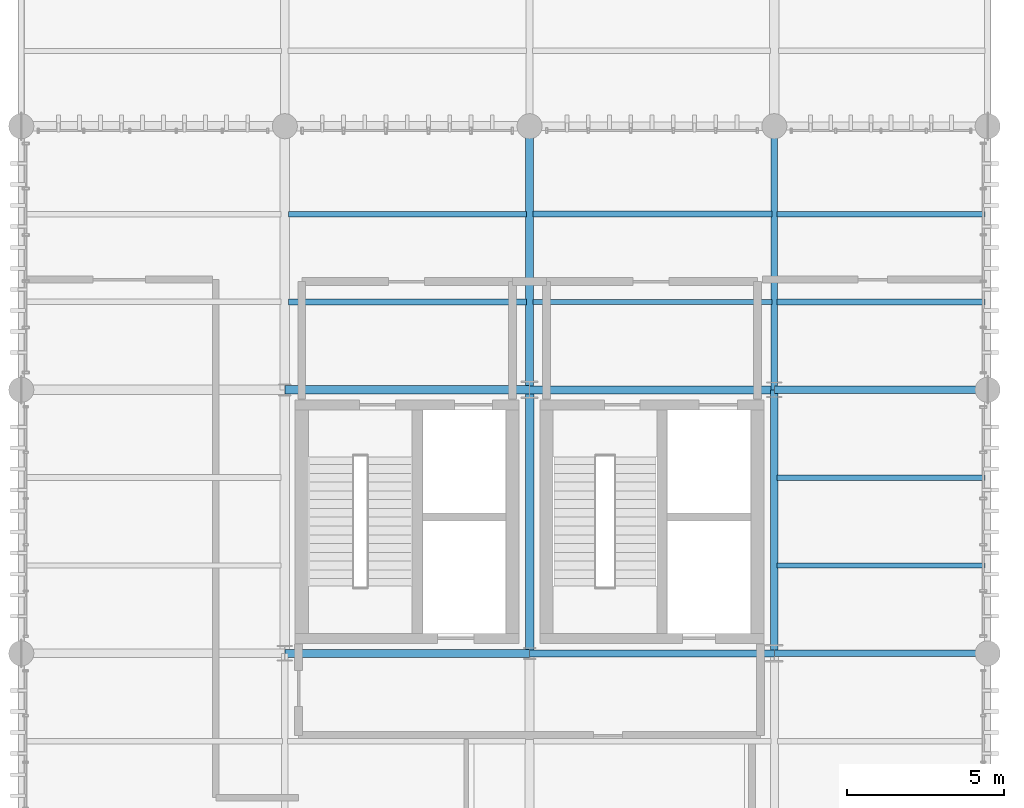
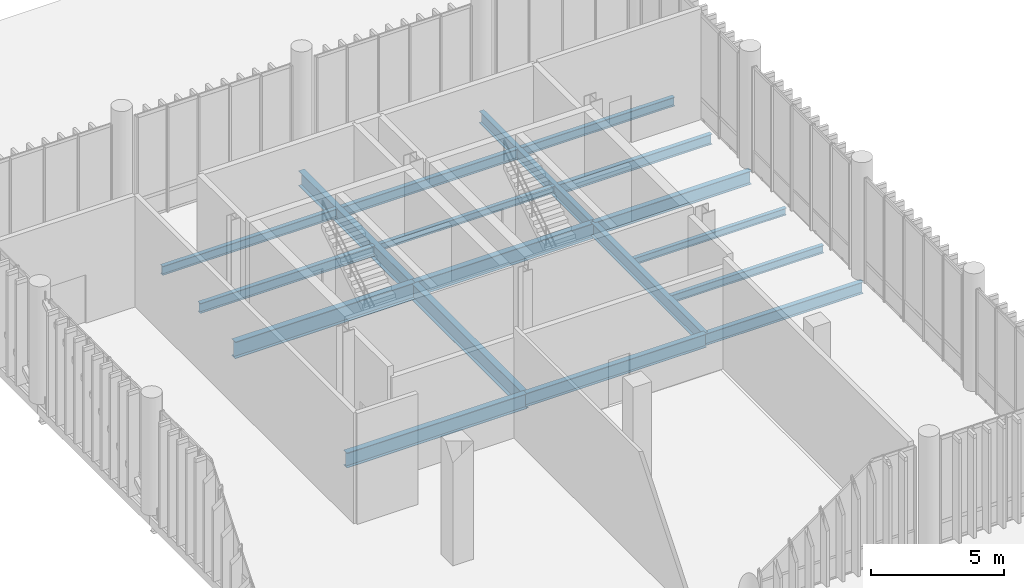
# One storey, part 82 of 128: 18 beams.
"""IFC4 building model written with IfcOpenShell, lengths in metres."""

from ifc_helpers import new_model, si_unit, direction, frame, origin_with_axes, origin_2d_with_axis, place, context, subcontext, project, spatial, i_section, extrude, material, material_profile, profile_set, type_object, element, save


model = new_model("IFC4")

# Units and contexts
model_context = context("Model", 3, precision=1e-05, world=origin_with_axes(), true_north=direction((0.0, 1.0)))
body_context = subcontext(model_context, "Body", "Model", "MODEL_VIEW")
ifc_project = project(units=[si_unit("LENGTHUNIT", "METRE"), si_unit("AREAUNIT", "SQUARE_METRE"), si_unit("VOLUMEUNIT", "CUBIC_METRE"), si_unit("PLANEANGLEUNIT", "RADIAN"), si_unit("MASSUNIT", "GRAM", prefix="KILO"), si_unit("THERMODYNAMICTEMPERATUREUNIT", "KELVIN")], contexts=[model_context])

# Site, building, storey
site_placement = place(None, origin_with_axes())
site = spatial("IfcSite", under=ifc_project, at=site_placement, CompositionType="ELEMENT")
building_placement = place(site_placement, origin_with_axes())
building = spatial("IfcBuilding", under=site, at=building_placement, Name="Montbau Bow Law Courts", CompositionType="ELEMENT")
storey_placement = place(building_placement, frame((0.0, 0.0, 5.4), z_axis=(0.0, 0.0, 1.0), x_axis=(1.0, 0.0, 0.0)))
storey = spatial("IfcBuildingStorey", under=building, at=storey_placement, Name="L01", CompositionType="ELEMENT", Elevation=5.4)

# Beams
ifc_material = material(Name="Steel CSA G40.21 Grade 350W (350 MPa)", Category="steel")
ifc_material_profile_1 = material_profile(ifc_material, i_section(OverallWidth=0.267, OverallDepth=0.766, WebThickness=0.0149, FlangeThickness=0.0236, at=origin_2d_with_axis()), Name="W760X185", Category="Main", Priority=0)
ifc_profile_set_1 = profile_set([ifc_material_profile_1], Name="Steel CSA G40.21 Grade 350W (350 MPa)")
beam_type_1 = type_object("IfcBeamType", Name="B-FLR-03", PredefinedType="BEAM", material=ifc_profile_set_1)
beam_1_placement = place(None, frame((147.0, 94.8, 4.737), z_axis=(1.0, 0.0, 0.0), x_axis=(0.0, 1.0, 0.0)))
element("IfcBeam", 1, at=beam_1_placement, inside=storey, type_object=beam_type_1, Name="BM-L01-S1115:bm2_1118", PredefinedType="BEAM", context=body_context, shape_type="SweptSolid", body=[
    extrude(i_section(OverallWidth=0.267, OverallDepth=0.766, WebThickness=0.0149, FlangeThickness=0.0236, at=origin_2d_with_axis()), origin_with_axes(), (0.0, 0.0, 1.0), 7.8),
])
beam_2_placement = place(None, frame((154.8, 86.4, 4.737), z_axis=(0.0, 1.0, 0.0), x_axis=(-1.0, 0.0, 0.0)))
element("IfcBeam", 2, at=beam_2_placement, inside=storey, type_object=beam_type_1, Name="BM-L01-S1147:bm2_1150", PredefinedType="BEAM", context=body_context, shape_type="SweptSolid", body=[
    extrude(i_section(OverallWidth=0.267, OverallDepth=0.766, WebThickness=0.0149, FlangeThickness=0.0236, at=origin_2d_with_axis()), origin_with_axes(), (0.0, 0.0, 1.0), 8.4),
])
ifc_material_profile_2 = material_profile(ifc_material, i_section(OverallWidth=0.254, OverallDepth=0.688, WebThickness=0.0131, FlangeThickness=0.0211, at=origin_2d_with_axis()), Name="W690X152", Category="Main", Priority=0)
ifc_profile_set_2 = profile_set([ifc_material_profile_2], Name="Steel CSA G40.21 Grade 350W (350 MPa)")
beam_type_2 = type_object("IfcBeamType", Name="B-FLR-04", PredefinedType="BEAM", material=ifc_profile_set_2)
for number, where, z_axis, x_axis, name in (
    (3, (147.0, 86.4, 4.776), (1.0, 0.0, 0.0), (0.0, 1.0, 0.0), "BM-L01-S1111:bm2_1114"),
    (4, (154.8, 94.8, 4.776), (1.0, 0.0, 0.0), (0.0, 1.0, 0.0), "BM-L01-S1116:bm2_1119"),
):
    element("IfcBeam", number, at=place(None, frame(where, z_axis=z_axis, x_axis=x_axis)), inside=storey, type_object=beam_type_2, Name=name, PredefinedType="BEAM", context=body_context, shape_type="SweptSolid", body=[
        extrude(i_section(OverallWidth=0.254, OverallDepth=0.688, WebThickness=0.0131, FlangeThickness=0.0211, at=origin_2d_with_axis()), origin_with_axes(), (0.0, 0.0, 1.0), 7.8),
    ])
beam_3_placement = place(None, frame((154.8, 94.8, 4.776), z_axis=(0.0, 1.0, 0.0), x_axis=(-1.0, 0.0, 0.0)))
element("IfcBeam", 5, at=beam_3_placement, inside=storey, type_object=beam_type_2, Name="BM-L01-S1148:bm2_1151", PredefinedType="BEAM", context=body_context, shape_type="SweptSolid", body=[
    extrude(i_section(OverallWidth=0.254, OverallDepth=0.688, WebThickness=0.0131, FlangeThickness=0.0211, at=origin_2d_with_axis()), origin_with_axes(), (0.0, 0.0, 1.0), 8.4),
])
ifc_material_profile_3 = material_profile(ifc_material, i_section(OverallWidth=0.229, OverallDepth=0.612, WebThickness=0.0119, FlangeThickness=0.0196, at=origin_2d_with_axis()), Name="W610X125", Category="Main", Priority=0)
ifc_profile_set_3 = profile_set([ifc_material_profile_3], Name="Steel CSA G40.21 Grade 350W (350 MPa)")
beam_type_3 = type_object("IfcBeamType", Name="B-FLR-05", PredefinedType="BEAM", material=ifc_profile_set_3)
beam_4_placement = place(None, frame((154.8, 86.4, 4.814), z_axis=(1.0, 0.0, 0.0), x_axis=(0.0, 1.0, 0.0)))
element("IfcBeam", 6, at=beam_4_placement, inside=storey, type_object=beam_type_3, Name="BM-L01-S1112:bm2_1115", PredefinedType="BEAM", context=body_context, shape_type="SweptSolid", body=[
    extrude(i_section(OverallWidth=0.229, OverallDepth=0.612, WebThickness=0.0119, FlangeThickness=0.0196, at=origin_2d_with_axis()), origin_with_axes(), (0.0, 0.0, 1.0), 7.8),
])
beam_5_placement = place(None, frame((162.6, 94.8, 4.814), z_axis=(1.0, 0.0, 0.0), x_axis=(0.0, 1.0, 0.0)))
element("IfcBeam", 7, at=beam_5_placement, inside=storey, type_object=beam_type_3, Name="BM-L01-S1117:bm2_1120", PredefinedType="BEAM", context=body_context, shape_type="SweptSolid", body=[
    extrude(i_section(OverallWidth=0.229, OverallDepth=0.612, WebThickness=0.0119, FlangeThickness=0.0196, at=origin_2d_with_axis()), origin_with_axes(), (0.0, 0.0, 1.0), 6.8),
])
beam_6_placement = place(None, frame((162.6, 86.4, 4.814), z_axis=(0.0, 1.0, 0.0), x_axis=(-1.0, 0.0, 0.0)))
element("IfcBeam", 8, at=beam_6_placement, inside=storey, type_object=beam_type_3, Name="BM-L01-S1154:bm2_1157", PredefinedType="BEAM", context=body_context, shape_type="SweptSolid", body=[
    extrude(i_section(OverallWidth=0.229, OverallDepth=0.612, WebThickness=0.0119, FlangeThickness=0.0196, at=origin_2d_with_axis()), origin_with_axes(), (0.0, 0.0, 1.0), 8.4),
])
ifc_material_profile_4 = material_profile(ifc_material, i_section(OverallWidth=0.21, OverallDepth=0.537, WebThickness=0.0109, FlangeThickness=0.0174, at=origin_2d_with_axis()), Name="W530X101", Category="Main", Priority=0)
ifc_profile_set_4 = profile_set([ifc_material_profile_4], Name="Steel CSA G40.21 Grade 350W (350 MPa)")
beam_type_4 = type_object("IfcBeamType", Name="B-FLR-06", PredefinedType="BEAM", material=ifc_profile_set_4)
beam_7_placement = place(None, frame((162.6, 86.4, 4.851), z_axis=(1.0, 0.0, 0.0), x_axis=(0.0, 1.0, 0.0)))
element("IfcBeam", 9, at=beam_7_placement, inside=storey, type_object=beam_type_4, Name="BM-L01-S1113:bm2_1116", PredefinedType="BEAM", context=body_context, shape_type="SweptSolid", body=[
    extrude(i_section(OverallWidth=0.21, OverallDepth=0.537, WebThickness=0.0109, FlangeThickness=0.0174, at=origin_2d_with_axis()), origin_with_axes(), (0.0, 0.0, 1.0), 6.8),
])
beam_8_placement = place(None, frame((162.6, 94.8, 4.851), z_axis=(0.0, 1.0, 0.0), x_axis=(-1.0, 0.0, 0.0)))
element("IfcBeam", 10, at=beam_8_placement, inside=storey, type_object=beam_type_4, Name="BM-L01-S1155:bm2_1158", PredefinedType="BEAM", context=body_context, shape_type="SweptSolid", body=[
    extrude(i_section(OverallWidth=0.21, OverallDepth=0.537, WebThickness=0.0109, FlangeThickness=0.0174, at=origin_2d_with_axis()), origin_with_axes(), (0.0, 0.0, 1.0), 8.4),
])
ifc_material_profile_5 = material_profile(ifc_material, i_section(OverallWidth=0.191, OverallDepth=0.46, WebThickness=0.0099, FlangeThickness=0.016, at=origin_2d_with_axis()), Name="W460X82", Category="Main", Priority=0)
ifc_profile_set_5 = profile_set([ifc_material_profile_5], Name="Steel CSA G40.21 Grade 350W (350 MPa)")
beam_type_5 = type_object("IfcBeamType", Name="B-JST-01", PredefinedType="JOIST", material=ifc_profile_set_5)
beam_9_placement = place(None, frame((147.123, 97.6, 4.89), z_axis=(1.0, 0.0, 0.0), x_axis=(0.0, 1.0, 0.0)))
element("IfcBeam", 11, at=beam_9_placement, inside=storey, type_object=beam_type_5, Name="JST-L01-S0580:jst2_0580", PredefinedType="JOIST", context=body_context, shape_type="SweptSolid", body=[
    extrude(i_section(OverallWidth=0.191, OverallDepth=0.46, WebThickness=0.0099, FlangeThickness=0.016, at=origin_2d_with_axis()), origin_with_axes(), (0.0, 0.0, 1.0), 7.574),
])
beam_10_placement = place(None, frame((154.903, 100.4, 4.89), z_axis=(1.0, 0.0, 0.0), x_axis=(0.0, 1.0, 0.0)))
element("IfcBeam", 12, at=beam_10_placement, inside=storey, type_object=beam_type_5, Name="JST-L01-S0592:jst2_0592", PredefinedType="JOIST", context=body_context, shape_type="SweptSolid", body=[
    extrude(i_section(OverallWidth=0.191, OverallDepth=0.46, WebThickness=0.0099, FlangeThickness=0.016, at=origin_2d_with_axis()), origin_with_axes(), (0.0, 0.0, 1.0), 7.616),
])
beam_11_placement = place(None, frame((162.681, 97.6, 4.89), z_axis=(1.0, 0.0, 0.0), x_axis=(0.0, 1.0, 0.0)))
element("IfcBeam", 13, at=beam_11_placement, inside=storey, type_object=beam_type_5, Name="JST-L01-S0604:jst2_0604", PredefinedType="JOIST", context=body_context, shape_type="SweptSolid", body=[
    extrude(i_section(OverallWidth=0.191, OverallDepth=0.46, WebThickness=0.0099, FlangeThickness=0.016, at=origin_2d_with_axis()), origin_with_axes(), (0.0, 0.0, 1.0), 6.639),
])
ifc_material_profile_6 = material_profile(ifc_material, i_section(OverallWidth=0.179, OverallDepth=0.41, WebThickness=0.0088, FlangeThickness=0.0144, at=origin_2d_with_axis()), Name="W410X67", Category="Main", Priority=0)
ifc_profile_set_6 = profile_set([ifc_material_profile_6], Name="Steel CSA G40.21 Grade 350W (350 MPa)")
beam_type_6 = type_object("IfcBeamType", Name="B-JST-02", PredefinedType="JOIST", material=ifc_profile_set_6)
beam_12_placement = place(None, frame((147.123, 100.4, 4.915), z_axis=(1.0, 0.0, 0.0), x_axis=(0.0, 1.0, 0.0)))
element("IfcBeam", 14, at=beam_12_placement, inside=storey, type_object=beam_type_6, Name="JST-L01-S0581:jst2_0581", PredefinedType="JOIST", context=body_context, shape_type="SweptSolid", body=[
    extrude(i_section(OverallWidth=0.179, OverallDepth=0.41, WebThickness=0.0088, FlangeThickness=0.0144, at=origin_2d_with_axis()), origin_with_axes(), (0.0, 0.0, 1.0), 7.574),
])
beam_13_placement = place(None, frame((162.681, 100.4, 4.915), z_axis=(1.0, 0.0, 0.0), x_axis=(0.0, 1.0, 0.0)))
element("IfcBeam", 15, at=beam_13_placement, inside=storey, type_object=beam_type_6, Name="JST-L01-S0605:jst2_0605", PredefinedType="JOIST", context=body_context, shape_type="SweptSolid", body=[
    extrude(i_section(OverallWidth=0.179, OverallDepth=0.41, WebThickness=0.0088, FlangeThickness=0.0144, at=origin_2d_with_axis()), origin_with_axes(), (0.0, 0.0, 1.0), 6.639),
])
ifc_material_profile_7 = material_profile(ifc_material, i_section(OverallWidth=0.172, OverallDepth=0.358, WebThickness=0.0079, FlangeThickness=0.0131, at=origin_2d_with_axis()), Name="W360X57", Category="Main", Priority=0)
ifc_profile_set_7 = profile_set([ifc_material_profile_7], Name="Steel CSA G40.21 Grade 350W (350 MPa)")
beam_type_7 = type_object("IfcBeamType", Name="B-JST-03", PredefinedType="JOIST", material=ifc_profile_set_7)
beam_14_placement = place(None, frame((162.69, 89.2, 4.941), z_axis=(1.0, 0.0, 0.0), x_axis=(0.0, 1.0, 0.0)))
element("IfcBeam", 16, at=beam_14_placement, inside=storey, type_object=beam_type_7, Name="JST-L01-S0602:jst2_0602", PredefinedType="JOIST", context=body_context, shape_type="SweptSolid", body=[
    extrude(i_section(OverallWidth=0.172, OverallDepth=0.358, WebThickness=0.0079, FlangeThickness=0.0131, at=origin_2d_with_axis()), origin_with_axes(), (0.0, 0.0, 1.0), 6.63),
])
ifc_material_profile_8 = material_profile(ifc_material, i_section(OverallWidth=0.166, OverallDepth=0.313, WebThickness=0.0066, FlangeThickness=0.0112, at=origin_2d_with_axis()), Name="W310X45", Category="Main", Priority=0)
ifc_profile_set_8 = profile_set([ifc_material_profile_8], Name="Steel CSA G40.21 Grade 350W (350 MPa)")
beam_type_8 = type_object("IfcBeamType", Name="B-JST-04", PredefinedType="JOIST", material=ifc_profile_set_8)
beam_15_placement = place(None, frame((154.903, 97.6, 4.963), z_axis=(1.0, 0.0, 0.0), x_axis=(0.0, 1.0, 0.0)))
element("IfcBeam", 17, at=beam_15_placement, inside=storey, type_object=beam_type_8, Name="JST-L01-S0591:jst2_0591", PredefinedType="JOIST", context=body_context, shape_type="SweptSolid", body=[
    extrude(i_section(OverallWidth=0.166, OverallDepth=0.313, WebThickness=0.0066, FlangeThickness=0.0112, at=origin_2d_with_axis()), origin_with_axes(), (0.0, 0.0, 1.0), 7.616),
])
beam_16_placement = place(None, frame((162.69, 92.0, 4.963), z_axis=(1.0, 0.0, 0.0), x_axis=(0.0, 1.0, 0.0)))
element("IfcBeam", 18, at=beam_16_placement, inside=storey, type_object=beam_type_8, Name="JST-L01-S0603:jst2_0603", PredefinedType="JOIST", context=body_context, shape_type="SweptSolid", body=[
    extrude(i_section(OverallWidth=0.166, OverallDepth=0.313, WebThickness=0.0066, FlangeThickness=0.0112, at=origin_2d_with_axis()), origin_with_axes(), (0.0, 0.0, 1.0), 6.63),
])

save(model, "model.ifc")
